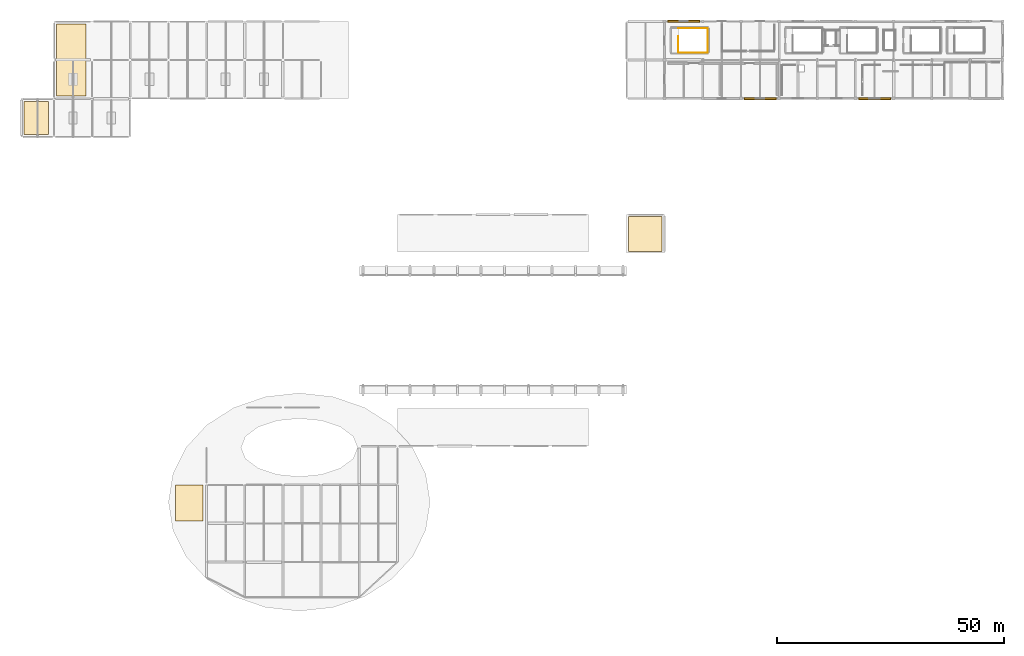
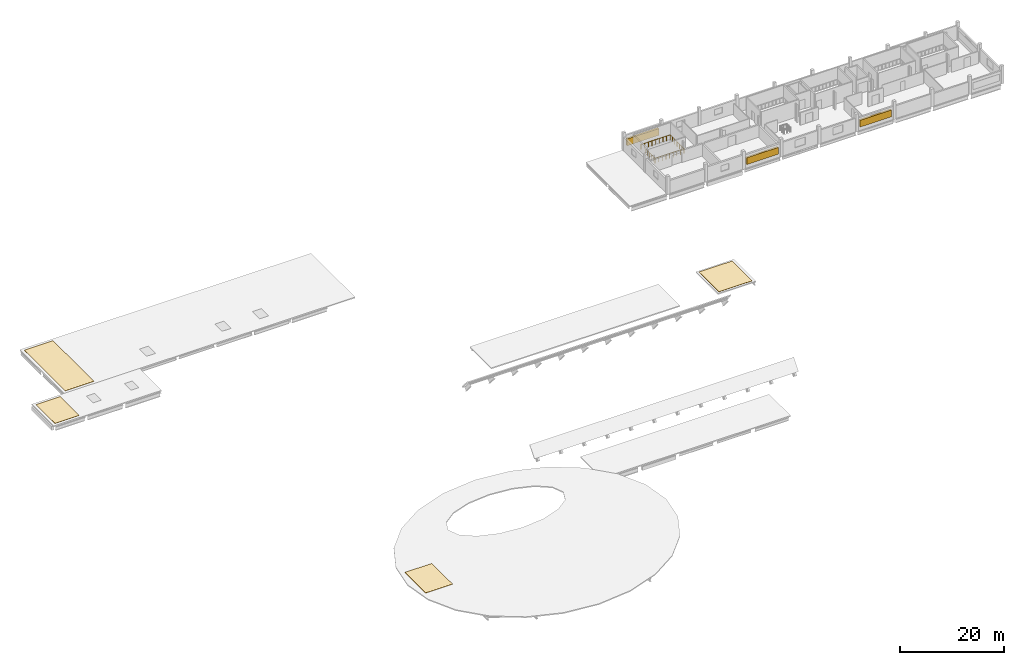
# One storey, part 12 of 13: 7 coverings, 1 railing.
"""IFC4 building model written with IfcOpenShell, lengths in metres."""

from ifc_helpers import new_model, si_unit, direction, frame, origin, origin_2d, place, context, subcontext, project, spatial, polyline, rectangle, circle, outline, extrude, material, layer, layer_set, type_object, element, save


model = new_model("IFC4")

# Units and contexts
model_context = context("Model", 3, precision=1e-05, world=origin(), true_north=direction((0.0, 1.0)))
body_context = subcontext(model_context, "Body", "Model", "MODEL_VIEW")
ifc_project = project(units=[si_unit("LENGTHUNIT", "METRE"), si_unit("AREAUNIT", "SQUARE_METRE"), si_unit("VOLUMEUNIT", "CUBIC_METRE"), si_unit("PLANEANGLEUNIT", "RADIAN"), si_unit("MASSUNIT", "GRAM", prefix="KILO")], contexts=[model_context])

# Site, building, storey
site_placement = place(None, origin())
site = spatial("IfcSite", under=ifc_project, at=site_placement, CompositionType="ELEMENT")
building_placement = place(site_placement, origin())
building = spatial("IfcBuilding", under=site, at=building_placement, Name="Solvento Point Concert Hall", CompositionType="ELEMENT")
storey_placement = place(building_placement, frame((0.0, 0.0, 23.699951171875)))
storey = spatial("IfcBuildingStorey", under=building, at=storey_placement, Name="L05", CompositionType="ELEMENT", Elevation=23.699951171875)

# Coverings
ifc_material_1 = material(Name="White Elastomeric Roof Membrane")
ifc_layer_1 = layer(ifc_material_1, 0.0400390625)
ifc_layer_set_1 = layer_set([ifc_layer_1], Name="White Elastomeric Roof Membrane")
covering_type_1 = type_object("IfcCoveringType", Name="RoofMembrane_White", PredefinedType="ROOFING", material=ifc_layer_set_1)
covering_1_placement = place(storey_placement, origin())
element("IfcCovering", 1, at=covering_1_placement, inside=storey, type_object=covering_type_1, Name="White elastomeric roof membrane RM-01", PredefinedType="ROOFING", context=body_context, shape_type="SweptSolid", body=[
    extrude(outline(polyline([(7.800048828125, 119.60009765625), (14.199951171875, 119.60009765625), (14.199951171875, 135.39990234375), (7.800048828125, 135.39990234375), (7.800048828125, 119.60009765625)])), origin(), (0.0, 0.0, 1.0), 0.0400390625),
])
covering_2_placement = place(storey_placement, origin())
element("IfcCovering", 2, at=covering_2_placement, inside=storey, type_object=covering_type_1, Name="White elastomeric roof membrane RM-01", PredefinedType="ROOFING", context=body_context, shape_type="SweptSolid", body=[
    extrude(outline(polyline([(0.60009765625, 111.10009765625), (6.0, 111.10009765625), (6.0, 118.39990234375), (0.60009765625, 118.39990234375), (0.60009765625, 111.10009765625)])), origin(), (0.0, 0.0, 1.0), 0.0400390625),
])
covering_3_placement = place(storey_placement, origin())
element("IfcCovering", 3, at=covering_3_placement, inside=storey, type_object=covering_type_1, Name="White elastomeric roof membrane RM-01", PredefinedType="ROOFING", context=body_context, shape_type="SweptSolid", body=[
    extrude(outline(polyline([(133.60009765625, 85.39990234375), (141.0, 85.39990234375), (141.0, 93.10009765625), (133.60009765625, 93.10009765625), (133.60009765625, 85.39990234375)])), origin(), (0.0, 0.0, 1.0), 0.0400390625),
])
covering_4_placement = place(storey_placement, origin())
element("IfcCovering", 4, at=covering_4_placement, inside=storey, type_object=covering_type_1, Name="White elastomeric roof membrane RM-01", PredefinedType="ROOFING", context=body_context, shape_type="SweptSolid", body=[
    extrude(outline(polyline([(34.0, 26.0), (40.0, 26.0), (40.0, 34.0), (34.0, 34.0), (34.0, 26.0)])), origin(), (0.0, 0.0, 1.0), 0.0400390625),
])

# Railing
ifc_material_2 = material(Name="Brushed Stainless Steel Balustrade", Category="steel")
railing_type = type_object("IfcRailingType", Name="StairWellGuard_1100", PredefinedType="BALUSTRADE", material=ifc_material_2)
railing_placement = place(storey_placement, frame((144.6201171875, 132.739990234375, 0.0)))
element("IfcRailing", 5, at=railing_placement, inside=storey, type_object=railing_type, Name="Stairwell guard GR-02 ST-12 L05", PredefinedType="BALUSTRADE", context=body_context, shape_type="SweptSolid", body=[
    extrude(circle(Radius=0.02392578125, at=origin_2d()), frame((0.0, 0.0, 1.09619140625), z_axis=(0.0, -1.0, 0.0), x_axis=(1.0, 0.0, 0.0)), (0.0, 0.0, 1.0), 3.619873046875),
    extrude(circle(Radius=0.02392578125, at=origin_2d()), frame((0.0, -3.619873046875, 1.09619140625), z_axis=(1.0, 0.0, 0.0), x_axis=(0.0, 1.0, 0.0)), (0.0, 0.0, 1.0), 6.4599609375),
    extrude(circle(Radius=0.02392578125, at=origin_2d()), frame((6.4599609375, -3.619873046875, 1.09619140625), z_axis=(0.0, 1.0, 0.0), x_axis=(-1.0, 0.0, 0.0)), (0.0, 0.0, 1.0), 5.35986328125),
    extrude(circle(Radius=0.02392578125, at=origin_2d()), frame((6.4599609375, 1.739990234375, 1.09619140625), z_axis=(-1.0, 0.0, 0.0), x_axis=(0.0, -1.0, 0.0)), (0.0, 0.0, 1.0), 6.4599609375),
    extrude(circle(Radius=0.02392578125, at=origin_2d()), frame((0.0, 1.739990234375, 1.09619140625), z_axis=(0.0, 1.0, 0.0), x_axis=(-1.0, 0.0, 0.0)), (0.0, 0.0, 1.0), 0.02001953125),
    extrude(circle(Radius=0.02099609375, at=origin_2d()), origin(), (0.0, 0.0, 1.0), 1.072021484375),
    extrude(circle(Radius=0.02099609375, at=origin_2d()), frame((0.0, -0.723876953125, 0.0)), (0.0, 0.0, 1.0), 1.072021484375),
    extrude(circle(Radius=0.02099609375, at=origin_2d()), frame((0.0, -1.447998046875, 0.0)), (0.0, 0.0, 1.0), 1.072021484375),
    extrude(circle(Radius=0.02099609375, at=origin_2d()), frame((0.0, -2.171875, 0.0)), (0.0, 0.0, 1.0), 1.072021484375),
    extrude(circle(Radius=0.02099609375, at=origin_2d()), frame((0.0, -2.89599609375, 0.0)), (0.0, 0.0, 1.0), 1.072021484375),
    extrude(circle(Radius=0.02099609375, at=origin_2d()), frame((0.0, -3.619873046875, 0.0)), (0.0, 0.0, 1.0), 1.072021484375),
    extrude(circle(Radius=0.02099609375, at=origin_2d()), frame((0.8076171875, -3.619873046875, 0.0)), (0.0, 0.0, 1.0), 1.072021484375),
    extrude(circle(Radius=0.02099609375, at=origin_2d()), frame((1.614990234375, -3.619873046875, 0.0)), (0.0, 0.0, 1.0), 1.072021484375),
    extrude(circle(Radius=0.02099609375, at=origin_2d()), frame((2.42236328125, -3.619873046875, 0.0)), (0.0, 0.0, 1.0), 1.072021484375),
    extrude(circle(Radius=0.02099609375, at=origin_2d()), frame((3.22998046875, -3.619873046875, 0.0)), (0.0, 0.0, 1.0), 1.072021484375),
    extrude(circle(Radius=0.02099609375, at=origin_2d()), frame((4.03759765625, -3.619873046875, 0.0)), (0.0, 0.0, 1.0), 1.072021484375),
    extrude(circle(Radius=0.02099609375, at=origin_2d()), frame((4.844970703125, -3.619873046875, 0.0)), (0.0, 0.0, 1.0), 1.072021484375),
    extrude(circle(Radius=0.02099609375, at=origin_2d()), frame((5.65234375, -3.619873046875, 0.0)), (0.0, 0.0, 1.0), 1.072021484375),
    extrude(circle(Radius=0.02099609375, at=origin_2d()), frame((6.4599609375, -3.619873046875, 0.0)), (0.0, 0.0, 1.0), 1.072021484375),
    extrude(circle(Radius=0.02099609375, at=origin_2d()), frame((6.4599609375, -2.7265625, 0.0)), (0.0, 0.0, 1.0), 1.072021484375),
    extrude(circle(Radius=0.02099609375, at=origin_2d()), frame((6.4599609375, -1.833251953125, 0.0)), (0.0, 0.0, 1.0), 1.072021484375),
    extrude(circle(Radius=0.02099609375, at=origin_2d()), frame((6.4599609375, -0.93994140625, 0.0)), (0.0, 0.0, 1.0), 1.072021484375),
    extrude(circle(Radius=0.02099609375, at=origin_2d()), frame((6.4599609375, -0.046630859375, 0.0)), (0.0, 0.0, 1.0), 1.072021484375),
    extrude(circle(Radius=0.02099609375, at=origin_2d()), frame((6.4599609375, 0.8466796875, 0.0)), (0.0, 0.0, 1.0), 1.072021484375),
    extrude(circle(Radius=0.02099609375, at=origin_2d()), frame((6.4599609375, 1.739990234375, 0.0)), (0.0, 0.0, 1.0), 1.072021484375),
    extrude(circle(Radius=0.02099609375, at=origin_2d()), frame((5.65234375, 1.739990234375, 0.0)), (0.0, 0.0, 1.0), 1.072021484375),
    extrude(circle(Radius=0.02099609375, at=origin_2d()), frame((4.844970703125, 1.739990234375, 0.0)), (0.0, 0.0, 1.0), 1.072021484375),
    extrude(circle(Radius=0.02099609375, at=origin_2d()), frame((4.03759765625, 1.739990234375, 0.0)), (0.0, 0.0, 1.0), 1.072021484375),
    extrude(circle(Radius=0.02099609375, at=origin_2d()), frame((3.22998046875, 1.739990234375, 0.0)), (0.0, 0.0, 1.0), 1.072021484375),
    extrude(circle(Radius=0.02099609375, at=origin_2d()), frame((2.42236328125, 1.739990234375, 0.0)), (0.0, 0.0, 1.0), 1.072021484375),
    extrude(circle(Radius=0.02099609375, at=origin_2d()), frame((1.614990234375, 1.739990234375, 0.0)), (0.0, 0.0, 1.0), 1.072021484375),
    extrude(circle(Radius=0.02099609375, at=origin_2d()), frame((0.8076171875, 1.739990234375, 0.0)), (0.0, 0.0, 1.0), 1.072021484375),
    extrude(circle(Radius=0.02099609375, at=origin_2d()), frame((0.0, 1.739990234375, 0.0)), (0.0, 0.0, 1.0), 1.072021484375),
    extrude(circle(Radius=0.02099609375, at=origin_2d()), frame((0.0, 1.760009765625, 0.0)), (0.0, 0.0, 1.0), 1.072021484375),
])

# Coverings
ifc_material_3 = material(Name="Precast concrete C45/55", Category="concrete")
ifc_layer_2 = layer(ifc_material_3, 0.159912109375)
ifc_layer_set_2 = layer_set([ifc_layer_2], Name="Precast concrete C45/55")
covering_type_2 = type_object("IfcCoveringType", Name="StormScreen_Precast", PredefinedType="CLADDING", material=ifc_layer_set_2)
for number, where, z_axis, x_axis, name in (
    (6, (187.800048828125, 119.0, 0.800048828125), (0.0, 0.0, 1.0), (-1.0, 0.0, 0.0), "Perforated precast storm-baffle screen SCR-01"),
    (7, (162.60009765625, 119.0, 0.800048828125), (0.0, 0.0, 1.0), (-1.0, 0.0, 0.0), "Perforated precast storm-baffle screen SCR-01"),
    (8, (145.800048828125, 136.0, 0.800048828125), (0.0, 0.0, 1.0), (1.0, 0.0, 0.0), "Perforated precast storm-baffle screen SCR-01"),
):
    element("IfcCovering", number, at=place(storey_placement, frame(where, z_axis=z_axis, x_axis=x_axis)), inside=storey, type_object=covering_type_2, Name=name, PredefinedType="CLADDING", context=body_context, shape_type="SweptSolid", body=[
        extrude(rectangle(XDim=7.0400390625, YDim=0.419921875, at=origin_2d()), origin(), (0.0, 0.0, 1.0), 1.60009765625),
    ])

save(model, "model.ifc")
